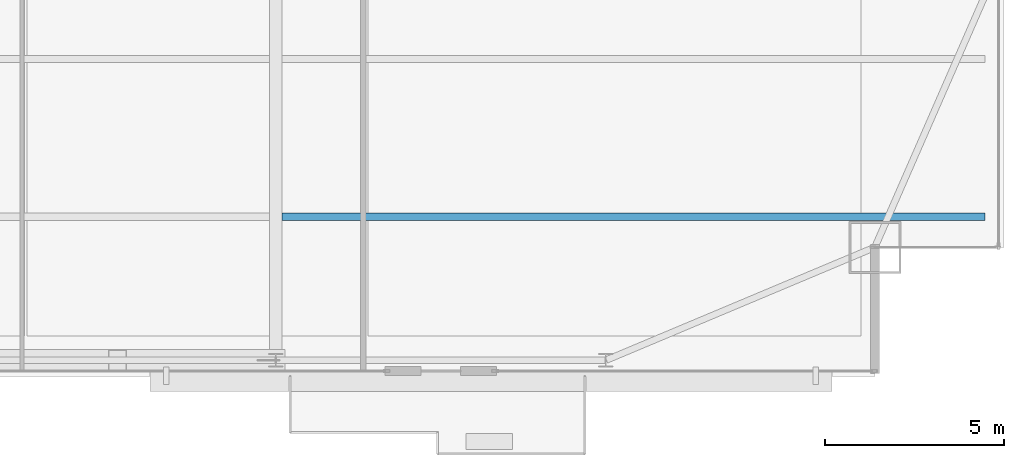
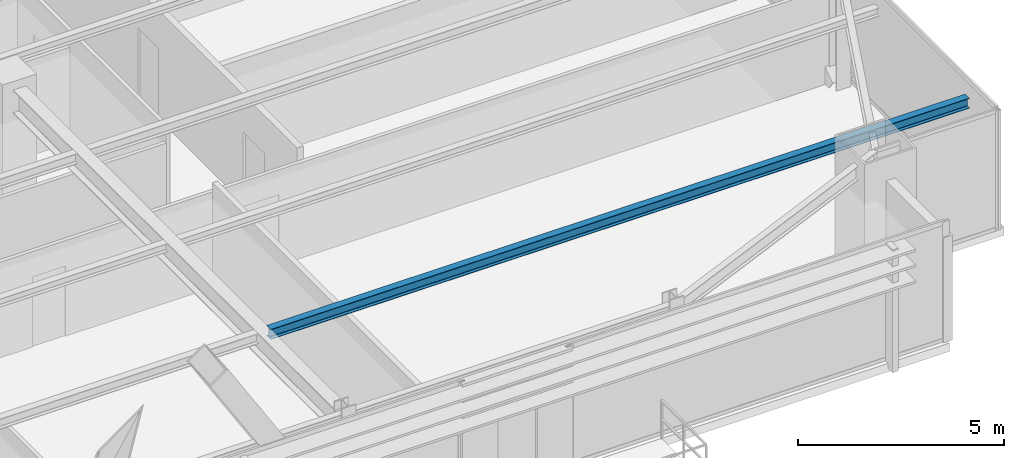
# One storey, part 16 of 37: 1 beam.
"""IFC4 building model written with IfcOpenShell, lengths in metres."""

from ifc_helpers import new_model, si_unit, direction, frame, origin, origin_2d, place, context, subcontext, project, spatial, i_section, extrude, source, transform, mapped, material, material_profile, profile_set, type_object, type_shapes, element, save


model = new_model("IFC4")

# Units and contexts
model_context = context("Model", 3, precision=1e-05, world=origin(), true_north=direction((0.0, 1.0)))
body_context = subcontext(model_context, "Body", "Model", "MODEL_VIEW")
ifc_project = project(units=[si_unit("LENGTHUNIT", "METRE"), si_unit("AREAUNIT", "SQUARE_METRE"), si_unit("VOLUMEUNIT", "CUBIC_METRE"), si_unit("PLANEANGLEUNIT", "RADIAN"), si_unit("MASSUNIT", "GRAM", prefix="KILO")], contexts=[model_context])

# Site, building, storey
site_placement = place(None, origin())
site = spatial("IfcSite", under=ifc_project, at=site_placement, CompositionType="ELEMENT")
building_placement = place(site_placement, origin())
building = spatial("IfcBuilding", under=site, at=building_placement, Name="Varnel Quay Broadcast Tower", CompositionType="ELEMENT")
storey_placement = place(building_placement, frame((0.0, 0.0, 103.0)))
storey = spatial("IfcBuildingStorey", under=building, at=storey_placement, Name="L24", CompositionType="ELEMENT", Elevation=103.0)

# Beam
ifc_material = material(Name="Structural Steel CSA G40.21 350W", Category="steel")
ifc_material_profile = material_profile(ifc_material, i_section(OverallWidth=0.202880859375, OverallDepth=0.302978515625, WebThickness=0.007568359375, FlangeThickness=0.01318359375, FilletRadius=0.011962890625, at=origin_2d()), Name="W310X60")
ifc_profile_set = profile_set([ifc_material_profile], Name="Structural Steel CSA G40.21 350W")
beam_type = type_object("IfcBeamType", Name="Beam_W310X60", PredefinedType="JOIST", material=ifc_profile_set)
shared_shape = source(origin(), body_context, "Body", "SweptSolid", [
    extrude(i_section(OverallWidth=0.202880859375, OverallDepth=0.302978515625, WebThickness=0.007568359375, FlangeThickness=0.01318359375, FilletRadius=0.011962890625, at=origin_2d()), origin(), (0.0, 0.0, 1.0), 19.592041015625),
])
type_shapes(beam_type, [shared_shape])
beam_placement = place(storey_placement, frame((43.37255859375, 8.64990234375, 3.3984375), z_axis=(1.0, 0.0, 0.0), x_axis=(0.0, 1.0, 0.0)))
element("IfcBeam", 1, at=beam_placement, inside=storey, type_object=beam_type, Name="L24 East Floor Joist 1", PredefinedType="JOIST", context=body_context, shape_type="MappedRepresentation", body=[
    mapped(shared_shape, transform((0.0, 0.0, 0.0), x_axis=(1.0, 0.0, 0.0), y_axis=(0.0, 1.0, 0.0), z_axis=(0.0, 0.0, 1.0), scale=1.0)),
])

save(model, "model.ifc")
